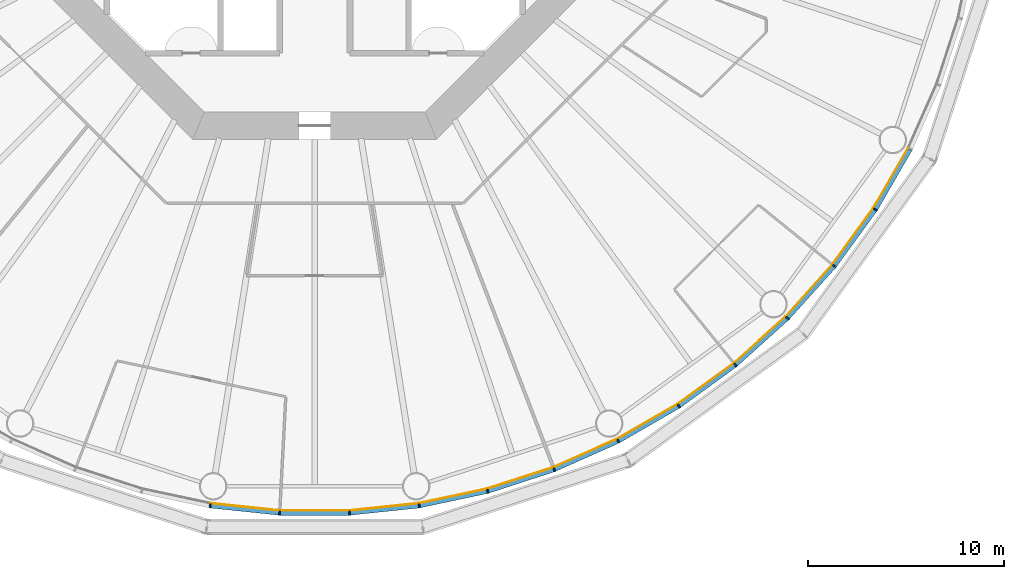
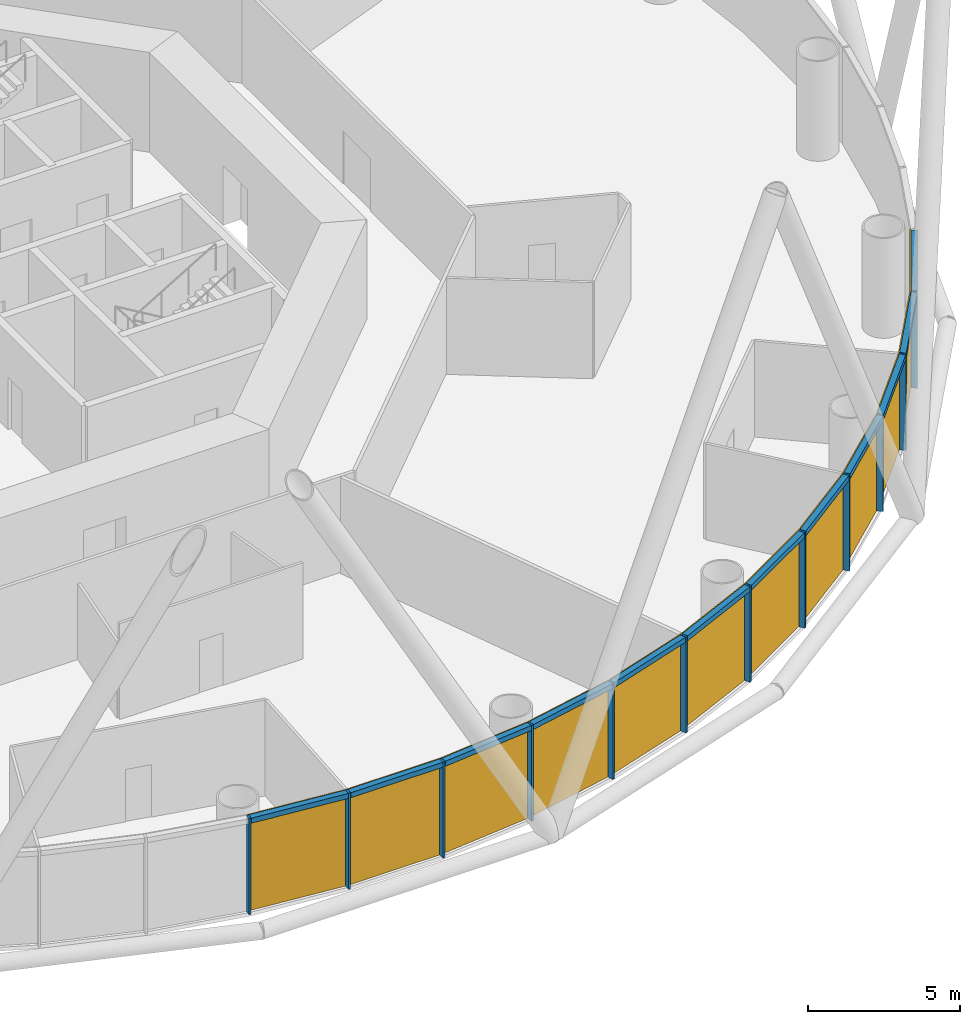
# One storey, part 8 of 13: 24 members, 4 curtain walls.
"""IFC4 building model written with IfcOpenShell, lengths in metres."""

from ifc_helpers import new_model, si_unit, direction, frame, origin, origin_2d, place, context, subcontext, project, spatial, polyline, rectangle, outline, extrude, material, layer, layer_set, material_profile, profile_set, type_object, element, aggregate, save


model = new_model("IFC4")

# Units and contexts
model_context = context("Model", 3, precision=1e-05, world=origin(), true_north=direction((0.0, 1.0)))
body_context = subcontext(model_context, "Body", "Model", "MODEL_VIEW")
ifc_project = project(units=[si_unit("LENGTHUNIT", "METRE"), si_unit("AREAUNIT", "SQUARE_METRE"), si_unit("VOLUMEUNIT", "CUBIC_METRE"), si_unit("PLANEANGLEUNIT", "RADIAN"), si_unit("MASSUNIT", "GRAM", prefix="KILO")], contexts=[model_context])

# Member
ifc_material_1 = material(Name="Anodised aluminium", Category="aluminium")
ifc_material_profile_1 = material_profile(ifc_material_1, rectangle(XDim=0.074951171875, YDim=0.219970703125, at=origin_2d()), Name="Mullion 75 x 220 mm anodised aluminium")
ifc_profile_set_1 = profile_set([ifc_material_profile_1], Name="Anodised aluminium")
member_type_1 = type_object("IfcMemberType", Name="Mullion 75 x 220 mm anodised aluminium", PredefinedType="MULLION", material=ifc_profile_set_1)
site_placement = place(None, origin())
building_placement = place(site_placement, origin())
storey_placement = place(building_placement, frame((0.0, 0.0, 54.0)))
member_1_placement = place(storey_placement, frame((84.6640625, 46.31005859375, 0.0), z_axis=(0.0, 0.0, 1.0), x_axis=(0.987688340595, -0.15643446504, 0.0)))
member_1 = element("IfcMember", 1, at=member_1_placement, type_object=member_type_1, Name="MULLION L11-42", PredefinedType="MULLION", context=body_context, shape_type="SweptSolid", body=[
    extrude(rectangle(XDim=0.074951171875, YDim=0.219970703125, at=origin_2d()), origin(), (0.0, 0.0, 1.0), 3.85009765625),
])

member_2_placement = place(storey_placement, frame((88.21484375, 45.936767578125, 0.0), z_axis=(0.0, 0.0, 1.0), x_axis=(0.998629534755, -0.052335956243, 0.0)))
member_2 = element("IfcMember", 2, at=member_2_placement, type_object=member_type_1, Name="MULLION L11-43", PredefinedType="MULLION", context=body_context, shape_type="SweptSolid", body=[
    extrude(rectangle(XDim=0.074951171875, YDim=0.219970703125, at=origin_2d()), origin(), (0.0, 0.0, 1.0), 3.85009765625),
])

member_3_placement = place(storey_placement, frame((91.78515625, 45.936767578125, 0.0), z_axis=(0.0, 0.0, 1.0), x_axis=(0.998629534755, 0.052335956243, 0.0)))
member_3 = element("IfcMember", 3, at=member_3_placement, type_object=member_type_1, Name="MULLION L11-44", PredefinedType="MULLION", context=body_context, shape_type="SweptSolid", body=[
    extrude(rectangle(XDim=0.074951171875, YDim=0.219970703125, at=origin_2d()), origin(), (0.0, 0.0, 1.0), 3.85009765625),
])

member_4_placement = place(storey_placement, frame((95.3359375, 46.31005859375, 0.0), z_axis=(0.0, 0.0, 1.0), x_axis=(0.987688340595, 0.15643446504, 0.0)))
member_4 = element("IfcMember", 4, at=member_4_placement, type_object=member_type_1, Name="MULLION L11-45", PredefinedType="MULLION", context=body_context, shape_type="SweptSolid", body=[
    extrude(rectangle(XDim=0.074951171875, YDim=0.219970703125, at=origin_2d()), origin(), (0.0, 0.0, 1.0), 3.85009765625),
])

member_5_placement = place(storey_placement, frame((98.828369140625, 47.05224609375, 0.0), z_axis=(0.0, 0.0, 1.0), x_axis=(0.965925826289, 0.258819045103, 0.0)))
member_5 = element("IfcMember", 5, at=member_5_placement, type_object=member_type_1, Name="MULLION L11-46", PredefinedType="MULLION", context=body_context, shape_type="SweptSolid", body=[
    extrude(rectangle(XDim=0.074951171875, YDim=0.219970703125, at=origin_2d()), origin(), (0.0, 0.0, 1.0), 3.85009765625),
])

member_6_placement = place(storey_placement, frame((102.223876953125, 48.155517578125, 0.0), z_axis=(0.0, 0.0, 1.0), x_axis=(0.933580426497, 0.358367949545, 0.0)))
member_6 = element("IfcMember", 6, at=member_6_placement, type_object=member_type_1, Name="MULLION L11-47", PredefinedType="MULLION", context=body_context, shape_type="SweptSolid", body=[
    extrude(rectangle(XDim=0.074951171875, YDim=0.219970703125, at=origin_2d()), origin(), (0.0, 0.0, 1.0), 3.85009765625),
])

member_7_placement = place(storey_placement, frame((105.485595703125, 49.607666015625, 0.0), z_axis=(0.0, 0.0, 1.0), x_axis=(0.891006524188, 0.45399049974, 0.0)))
member_7 = element("IfcMember", 7, at=member_7_placement, type_object=member_type_1, Name="MULLION L11-48", PredefinedType="MULLION", context=body_context, shape_type="SweptSolid", body=[
    extrude(rectangle(XDim=0.074951171875, YDim=0.219970703125, at=origin_2d()), origin(), (0.0, 0.0, 1.0), 3.85009765625),
])

member_8_placement = place(storey_placement, frame((108.57763671875, 51.39306640625, 0.0), z_axis=(0.0, 0.0, 1.0), x_axis=(0.838670567945, 0.544639035015, 0.0)))
member_8 = element("IfcMember", 8, at=member_8_placement, type_object=member_type_1, Name="MULLION L11-49", PredefinedType="MULLION", context=body_context, shape_type="SweptSolid", body=[
    extrude(rectangle(XDim=0.074951171875, YDim=0.219970703125, at=origin_2d()), origin(), (0.0, 0.0, 1.0), 3.85009765625),
])

member_9_placement = place(storey_placement, frame((111.466064453125, 53.491455078125, 0.0), z_axis=(0.0, 0.0, 1.0), x_axis=(0.777145961457, 0.62932039105, 0.0)))
member_9 = element("IfcMember", 9, at=member_9_placement, type_object=member_type_1, Name="MULLION L11-50", PredefinedType="MULLION", context=body_context, shape_type="SweptSolid", body=[
    extrude(rectangle(XDim=0.074951171875, YDim=0.219970703125, at=origin_2d()), origin(), (0.0, 0.0, 1.0), 3.85009765625),
])

member_10_placement = place(storey_placement, frame((114.119384765625, 55.880615234375, 0.0), z_axis=(0.0, 0.0, 1.0), x_axis=(0.707106781187, 0.707106781187, 0.0)))
member_10 = element("IfcMember", 10, at=member_10_placement, type_object=member_type_1, Name="MULLION L11-51", PredefinedType="MULLION", context=body_context, shape_type="SweptSolid", body=[
    extrude(rectangle(XDim=0.074951171875, YDim=0.219970703125, at=origin_2d()), origin(), (0.0, 0.0, 1.0), 3.85009765625),
])

member_11_placement = place(storey_placement, frame((116.508544921875, 58.533935546875, 0.0), z_axis=(0.0, 0.0, 1.0), x_axis=(0.62932039105, 0.777145961457, 0.0)))
member_11 = element("IfcMember", 11, at=member_11_placement, type_object=member_type_1, Name="MULLION L11-52", PredefinedType="MULLION", context=body_context, shape_type="SweptSolid", body=[
    extrude(rectangle(XDim=0.074951171875, YDim=0.219970703125, at=origin_2d()), origin(), (0.0, 0.0, 1.0), 3.85009765625),
])

member_12_placement = place(storey_placement, frame((118.60693359375, 61.42236328125, 0.0), z_axis=(0.0, 0.0, 1.0), x_axis=(0.544639035015, 0.838670567945, 0.0)))
member_12 = element("IfcMember", 12, at=member_12_placement, type_object=member_type_1, Name="MULLION L11-53", PredefinedType="MULLION", context=body_context, shape_type="SweptSolid", body=[
    extrude(rectangle(XDim=0.074951171875, YDim=0.219970703125, at=origin_2d()), origin(), (0.0, 0.0, 1.0), 3.85009765625),
])

ifc_material_2 = material(Name="Anodised aluminium", Category="aluminium")
ifc_material_profile_2 = material_profile(ifc_material_2, rectangle(XDim=0.219970703125, YDim=0.199951171875, at=origin_2d()), Name="Transom 200 x 220 mm anodised aluminium")
ifc_profile_set_2 = profile_set([ifc_material_profile_2], Name="Anodised aluminium")
member_type_2 = type_object("IfcMemberType", Name="Transom 200 x 220 mm anodised aluminium", PredefinedType="USERDEFINED", material=ifc_profile_set_2)
member_13_placement = place(storey_placement, frame((84.70703125, 46.30517578125, 3.75), z_axis=(0.994526551648, -0.104484152234, 0.0), x_axis=(0.104484152234, 0.994526551648, 0.0)))
member_13 = element("IfcMember", 13, at=member_13_placement, type_object=member_type_2, Name="TRANSOM L11-42", ObjectType="TRANSOM", PredefinedType="USERDEFINED", context=body_context, shape_type="SweptSolid", body=[
    extrude(rectangle(XDim=0.219970703125, YDim=0.199951171875, at=origin_2d()), origin(), (0.0, 0.0, 1.0), 3.48388671875),
])

member_14_placement = place(storey_placement, frame((88.258056640625, 45.9365234375, 3.75), z_axis=(1.0, 0.0, 0.0), x_axis=(0.0, 1.0, 0.0)))
member_14 = element("IfcMember", 14, at=member_14_placement, type_object=member_type_2, Name="TRANSOM L11-43", ObjectType="TRANSOM", PredefinedType="USERDEFINED", context=body_context, shape_type="SweptSolid", body=[
    extrude(rectangle(XDim=0.219970703125, YDim=0.199951171875, at=origin_2d()), origin(), (0.0, 0.0, 1.0), 3.48388671875),
])

member_15_placement = place(storey_placement, frame((91.828125, 45.941162109375, 3.75), z_axis=(0.994526551648, 0.104484152234, 0.0), x_axis=(-0.104484152234, 0.994526551648, 0.0)))
member_15 = element("IfcMember", 15, at=member_15_placement, type_object=member_type_2, Name="TRANSOM L11-44", ObjectType="TRANSOM", PredefinedType="USERDEFINED", context=body_context, shape_type="SweptSolid", body=[
    extrude(rectangle(XDim=0.219970703125, YDim=0.199951171875, at=origin_2d()), origin(), (0.0, 0.0, 1.0), 3.48388671875),
])

member_16_placement = place(storey_placement, frame((95.37841796875, 46.31884765625, 3.75), z_axis=(0.978145669426, 0.207920776701, 0.0), x_axis=(-0.207920776701, 0.978145669426, 0.0)))
member_16 = element("IfcMember", 16, at=member_16_placement, type_object=member_type_2, Name="TRANSOM L11-45", ObjectType="TRANSOM", PredefinedType="USERDEFINED", context=body_context, shape_type="SweptSolid", body=[
    extrude(rectangle(XDim=0.219970703125, YDim=0.199951171875, at=origin_2d()), origin(), (0.0, 0.0, 1.0), 3.48388671875),
])

member_17_placement = place(storey_placement, frame((98.869384765625, 47.0654296875, 3.75), z_axis=(0.951052605696, 0.309029029702, 0.0), x_axis=(-0.309029029702, 0.951052605696, 0.0)))
member_17 = element("IfcMember", 17, at=member_17_placement, type_object=member_type_2, Name="TRANSOM L11-46", ObjectType="TRANSOM", PredefinedType="USERDEFINED", context=body_context, shape_type="SweptSolid", body=[
    extrude(rectangle(XDim=0.219970703125, YDim=0.199951171875, at=origin_2d()), origin(), (0.0, 0.0, 1.0), 3.484130859375),
])

member_18_placement = place(storey_placement, frame((102.263427734375, 48.173095703125, 3.75), z_axis=(0.913545487371, 0.406736576304, 0.0), x_axis=(-0.406736576304, 0.913545487371, 0.0)))
member_18 = element("IfcMember", 18, at=member_18_placement, type_object=member_type_2, Name="TRANSOM L11-47", ObjectType="TRANSOM", PredefinedType="USERDEFINED", context=body_context, shape_type="SweptSolid", body=[
    extrude(rectangle(XDim=0.219970703125, YDim=0.199951171875, at=origin_2d()), origin(), (0.0, 0.0, 1.0), 3.48388671875),
])

member_19_placement = place(storey_placement, frame((105.523193359375, 49.629150390625, 3.75), z_axis=(0.866022206254, 0.500005538244, 0.0), x_axis=(-0.500005538244, 0.866022206254, 0.0)))
member_19 = element("IfcMember", 19, at=member_19_placement, type_object=member_type_2, Name="TRANSOM L11-48", ObjectType="TRANSOM", PredefinedType="USERDEFINED", context=body_context, shape_type="SweptSolid", body=[
    extrude(rectangle(XDim=0.219970703125, YDim=0.199951171875, at=origin_2d()), origin(), (0.0, 0.0, 1.0), 3.48388671875),
])

member_20_placement = place(storey_placement, frame((108.61279296875, 51.418212890625, 3.75), z_axis=(0.80899056535, 0.587821627006, 0.0), x_axis=(-0.587821627006, 0.80899056535, 0.0)))
member_20 = element("IfcMember", 20, at=member_20_placement, type_object=member_type_2, Name="TRANSOM L11-49", ObjectType="TRANSOM", PredefinedType="USERDEFINED", context=body_context, shape_type="SweptSolid", body=[
    extrude(rectangle(XDim=0.219970703125, YDim=0.199951171875, at=origin_2d()), origin(), (0.0, 0.0, 1.0), 3.48388671875),
])

member_21_placement = place(storey_placement, frame((111.498291015625, 53.520263671875, 3.75), z_axis=(0.743137329876, 0.669138930974, 0.0), x_axis=(-0.669138930974, 0.743137329876, 0.0)))
member_21 = element("IfcMember", 21, at=member_21_placement, type_object=member_type_2, Name="TRANSOM L11-50", ObjectType="TRANSOM", PredefinedType="USERDEFINED", context=body_context, shape_type="SweptSolid", body=[
    extrude(rectangle(XDim=0.219970703125, YDim=0.199951171875, at=origin_2d()), origin(), (0.0, 0.0, 1.0), 3.484130859375),
])

member_22_placement = place(storey_placement, frame((114.1484375, 55.91259765625, 3.75), z_axis=(0.669138930974, 0.743137329876, 0.0), x_axis=(-0.743137329876, 0.669138930974, 0.0)))
member_22 = element("IfcMember", 22, at=member_22_placement, type_object=member_type_2, Name="TRANSOM L11-51", ObjectType="TRANSOM", PredefinedType="USERDEFINED", context=body_context, shape_type="SweptSolid", body=[
    extrude(rectangle(XDim=0.219970703125, YDim=0.199951171875, at=origin_2d()), origin(), (0.0, 0.0, 1.0), 3.484130859375),
])

member_23_placement = place(storey_placement, frame((116.533935546875, 58.56884765625, 3.75), z_axis=(0.587821627006, 0.80899056535, 0.0), x_axis=(-0.80899056535, 0.587821627006, 0.0)))
member_23 = element("IfcMember", 23, at=member_23_placement, type_object=member_type_2, Name="TRANSOM L11-52", ObjectType="TRANSOM", PredefinedType="USERDEFINED", context=body_context, shape_type="SweptSolid", body=[
    extrude(rectangle(XDim=0.219970703125, YDim=0.199951171875, at=origin_2d()), origin(), (0.0, 0.0, 1.0), 3.48388671875),
])

member_24_placement = place(storey_placement, frame((118.62890625, 61.459716796875, 3.75), z_axis=(0.500005538244, 0.866022206254, 0.0), x_axis=(-0.866022206254, 0.500005538244, 0.0)))
member_24 = element("IfcMember", 24, at=member_24_placement, type_object=member_type_2, Name="TRANSOM L11-53", ObjectType="TRANSOM", PredefinedType="USERDEFINED", context=body_context, shape_type="SweptSolid", body=[
    extrude(rectangle(XDim=0.219970703125, YDim=0.199951171875, at=origin_2d()), origin(), (0.0, 0.0, 1.0), 3.48388671875),
])

# Site, building, storey
site = spatial("IfcSite", under=ifc_project, at=site_placement, CompositionType="ELEMENT")
building = spatial("IfcBuilding", under=site, at=building_placement, Name="Entoto Ring Tower", CompositionType="ELEMENT")
storey = spatial("IfcBuildingStorey", under=building, at=storey_placement, Name="L11", CompositionType="ELEMENT", Elevation=54.0)

# Curtain wall
ifc_material_3 = material(Name="Clear low-iron glass", Category="glass")
ifc_layer = layer(ifc_material_3, 0.0400390625)
ifc_layer_set = layer_set([ifc_layer], Name="Clear low-iron glass")
curtain_wall_type = type_object("IfcCurtainWallType", Name="Curtain wall system CW1 glazing 40 mm", PredefinedType="NOTDEFINED", material=ifc_layer_set)
curtain_wall_1_placement = place(storey_placement, origin())
curtain_wall_1 = element("IfcCurtainWall", 25, at=curtain_wall_1_placement, inside=storey, type_object=curtain_wall_type, Name="CW1 L11-15", PredefinedType="NOTDEFINED", context=body_context, shape_type="SweptSolid", body=[
    extrude(outline(polyline([(84.68115234375, 46.418701171875), (88.220458984375, 46.046630859375), (91.779541015625, 46.046630859375), (95.31884765625, 46.418701171875), (95.3125, 46.458251953125), (91.77734375, 46.086669921875), (88.22265625, 46.086669921875), (84.6875, 46.458251953125), (84.68115234375, 46.418701171875)])), origin(), (0.0, 0.0, 1.0), 3.85009765625),
])

aggregate(curtain_wall_1, [member_1, member_2, member_3, member_13, member_14, member_15])

curtain_wall_2_placement = place(storey_placement, origin())
curtain_wall_2 = element("IfcCurtainWall", 26, at=curtain_wall_2_placement, inside=storey, type_object=curtain_wall_type, Name="CW1 L11-16", PredefinedType="NOTDEFINED", context=body_context, shape_type="SweptSolid", body=[
    extrude(outline(polyline([(95.31884765625, 46.418701171875), (98.7998046875, 47.158447265625), (102.1845703125, 48.25830078125), (105.435791015625, 49.705810546875), (105.41748046875, 49.741455078125), (102.170166015625, 48.295654296875), (98.78955078125, 47.197265625), (95.3125, 46.458251953125), (95.31884765625, 46.418701171875)])), origin(), (0.0, 0.0, 1.0), 3.85009765625),
])

aggregate(curtain_wall_2, [member_4, member_5, member_6, member_16, member_17, member_18])

curtain_wall_3_placement = place(storey_placement, origin())
curtain_wall_3 = element("IfcCurtainWall", 27, at=curtain_wall_3_placement, inside=storey, type_object=curtain_wall_type, Name="CW1 L11-17", PredefinedType="NOTDEFINED", context=body_context, shape_type="SweptSolid", body=[
    extrude(outline(polyline([(105.435791015625, 49.705810546875), (108.517822265625, 51.485107421875), (111.39697265625, 53.5771484375), (114.041748046875, 55.958251953125), (114.013427734375, 55.986572265625), (111.37158203125, 53.608154296875), (108.495849609375, 51.518798828125), (105.41748046875, 49.741455078125), (105.435791015625, 49.705810546875)])), origin(), (0.0, 0.0, 1.0), 3.85009765625),
])

aggregate(curtain_wall_3, [member_7, member_8, member_9, member_19, member_20, member_21])

curtain_wall_4_placement = place(storey_placement, origin())
curtain_wall_4 = element("IfcCurtainWall", 28, at=curtain_wall_4_placement, inside=storey, type_object=curtain_wall_type, Name="CW1 L11-18", PredefinedType="NOTDEFINED", context=body_context, shape_type="SweptSolid", body=[
    extrude(outline(polyline([(114.041748046875, 55.958251953125), (116.4228515625, 58.60302734375), (118.514892578125, 61.482177734375), (120.294189453125, 64.564208984375), (120.258544921875, 64.58251953125), (118.481201171875, 61.504150390625), (116.391845703125, 58.62841796875), (114.013427734375, 55.986572265625), (114.041748046875, 55.958251953125)])), origin(), (0.0, 0.0, 1.0), 3.85009765625),
])

aggregate(curtain_wall_4, [member_10, member_11, member_12, member_22, member_23, member_24])

save(model, "model.ifc")
